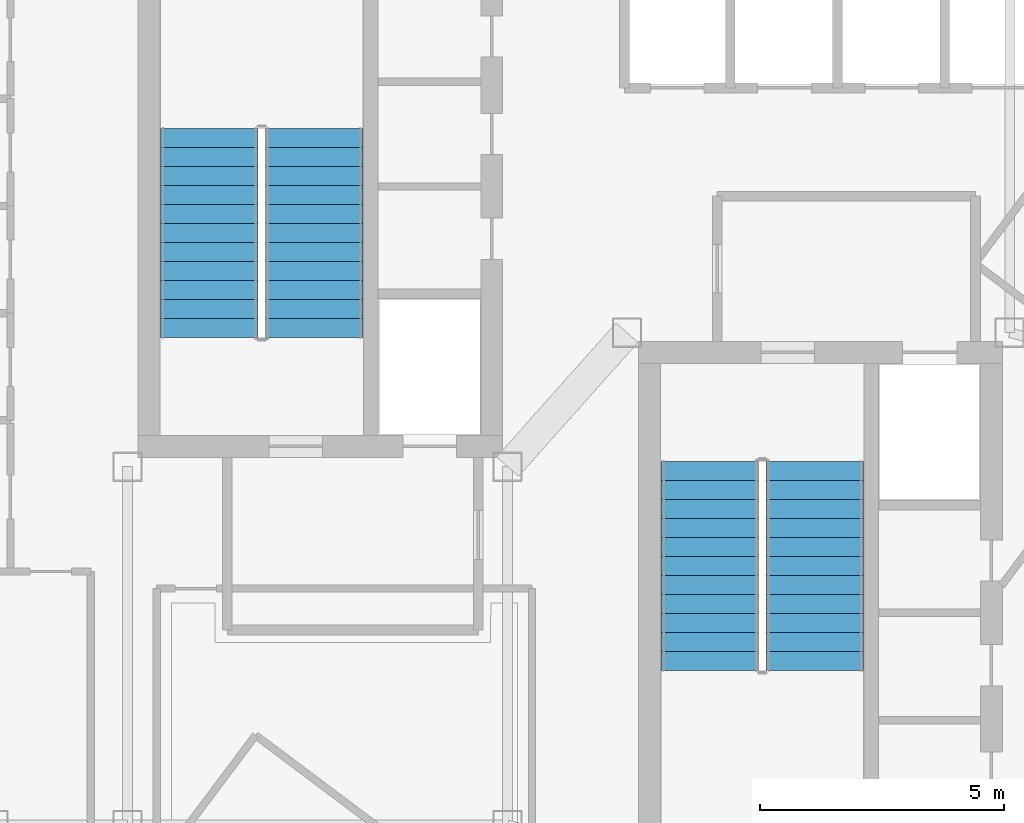
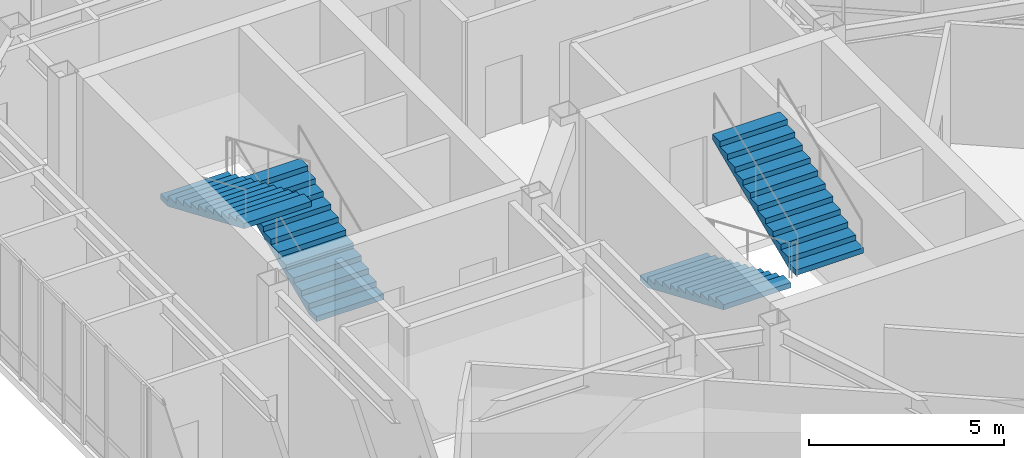
# One storey, part 28 of 30: 4 stair flights, 2 elements without a shape of their own.
"""IFC4 building model written with IfcOpenShell, lengths in metres."""

from ifc_helpers import new_model, si_unit, direction, frame, origin, place, context, subcontext, project, spatial, polyline, outline, extrude, material, type_object, element, aggregate, save


model = new_model("IFC4")

# Units and contexts
model_context = context("Model", 3, precision=1e-05, world=origin(), true_north=direction((0.0, 1.0)))
body_context = subcontext(model_context, "Body", "Model", "MODEL_VIEW")
ifc_project = project(units=[si_unit("LENGTHUNIT", "METRE"), si_unit("AREAUNIT", "SQUARE_METRE"), si_unit("VOLUMEUNIT", "CUBIC_METRE"), si_unit("PLANEANGLEUNIT", "RADIAN"), si_unit("MASSUNIT", "GRAM", prefix="KILO")], contexts=[model_context])

# Site, building, storey
site_placement = place(None, origin())
site = spatial("IfcSite", under=ifc_project, at=site_placement, CompositionType="ELEMENT")
building_placement = place(site_placement, origin())
building = spatial("IfcBuilding", under=site, at=building_placement, Name="Hatsunagi Terrace Concourse", CompositionType="ELEMENT")
storey_placement = place(building_placement, frame((0.0, 0.0, 273.949951171875)))
storey = spatial("IfcBuildingStorey", under=building, at=storey_placement, Name="L72", CompositionType="ELEMENT", Elevation=273.949951171875)

# Stair, stair flights
ifc_material_1 = material(Name="Concrete Fc42", Category="concrete")
stair_type = type_object("IfcStairType", Name="DoglegExitStair_Tower2000_24R_167", PredefinedType="HALF_TURN_STAIR", material=ifc_material_1)
stair_1_placement = place(storey_placement, origin())
stair_1 = element("IfcStair", 1, at=stair_1_placement, inside=storey, type_object=stair_type, Name="L72 Core A Protected Exit Stair ST-A", PredefinedType="HALF_TURN_STAIR")
ifc_material_2 = material(Name="Concrete Fc42", Category="concrete")
stair_flight_type = type_object("IfcStairFlightType", Name="DoglegStairFlight_Tower2000_24R_167", PredefinedType="STRAIGHT", material=ifc_material_2)
stair_flight_1_placement = place(storey_placement, frame((29.3798828125, 35.199951171875, 0.0), z_axis=(0.0, 0.0, 1.0), x_axis=(0.0, 1.0, 0.0)))
stair_flight_1 = element("IfcStairFlight", 2, at=stair_flight_1_placement, type_object=stair_flight_type, Name="ST-A flight 1", NumberOfRisers=12, NumberOfTreads=11, PredefinedType="STRAIGHT", RiserHeight=0.166666667, TreadLength=0.39, context=body_context, shape_type="SweptSolid", body=[
    extrude(outline(polyline([(0.0, 0.0), (0.0, 0.166748046875), (0.389892578125, 0.166748046875), (0.389892578125, 0.333251953125), (0.780029296875, 0.333251953125), (0.780029296875, 0.5), (1.169921875, 0.5), (1.169921875, 0.666748046875), (1.56005859375, 0.666748046875), (1.56005859375, 0.833251953125), (1.949951171875, 0.833251953125), (1.949951171875, 1.0), (2.340087890625, 1.0), (2.340087890625, 1.166748046875), (2.72998046875, 1.166748046875), (2.72998046875, 1.333251953125), (3.1201171875, 1.333251953125), (3.1201171875, 1.5), (3.510009765625, 1.5), (3.510009765625, 1.666748046875), (3.89990234375, 1.666748046875), (3.89990234375, 1.833251953125), (4.2900390625, 1.833251953125), (4.2900390625, 2.0), (4.2900390625, 1.67041015625), (0.38134765625, 0.0), (0.0, 0.0)])), frame((0.0, 1.0, 0.0), z_axis=(0.0, -1.0, 0.0), x_axis=(1.0, 0.0, 0.0)), (0.0, 0.0, 1.0), 2.0),
])
stair_flight_2_placement = place(storey_placement, frame((27.22998046875, 39.489990234375, 2.0), z_axis=(0.0, 0.0, 1.0), x_axis=(0.0, -1.0, 0.0)))
stair_flight_2 = element("IfcStairFlight", 3, at=stair_flight_2_placement, type_object=stair_flight_type, Name="ST-A flight 2", NumberOfRisers=12, NumberOfTreads=11, PredefinedType="STRAIGHT", RiserHeight=0.166666667, TreadLength=0.39, context=body_context, shape_type="SweptSolid", body=[
    extrude(outline(polyline([(0.0, 0.0), (0.0, 0.166748046875), (0.389892578125, 0.166748046875), (0.389892578125, 0.333251953125), (0.780029296875, 0.333251953125), (0.780029296875, 0.5), (1.169921875, 0.5), (1.169921875, 0.666748046875), (1.56005859375, 0.666748046875), (1.56005859375, 0.833251953125), (1.949951171875, 0.833251953125), (1.949951171875, 1.0), (2.340087890625, 1.0), (2.340087890625, 1.166748046875), (2.72998046875, 1.166748046875), (2.72998046875, 1.333251953125), (3.1201171875, 1.333251953125), (3.1201171875, 1.5), (3.510009765625, 1.5), (3.510009765625, 1.666748046875), (3.89990234375, 1.666748046875), (3.89990234375, 1.833251953125), (4.2900390625, 1.833251953125), (4.2900390625, 2.0), (4.2900390625, 1.67041015625), (0.38134765625, 0.0), (0.0, 0.0)])), frame((0.0, 1.0, 0.0), z_axis=(0.0, -1.0, 0.0), x_axis=(1.0, 0.0, 0.0)), (0.0, 0.0, 1.0), 2.0),
])
aggregate(stair_1, [stair_flight_1, stair_flight_2])

stair_2_placement = place(storey_placement, origin())
stair_2 = element("IfcStair", 4, at=stair_2_placement, inside=storey, type_object=stair_type, Name="L72 Core B Protected Exit Stair ST-B", PredefinedType="HALF_TURN_STAIR")
stair_flight_3_placement = place(storey_placement, frame((37.5, 32.659912109375, 0.0), z_axis=(0.0, 0.0, 1.0), x_axis=(0.0, -1.0, 0.0)))
stair_flight_3 = element("IfcStairFlight", 5, at=stair_flight_3_placement, type_object=stair_flight_type, Name="ST-B flight 1", NumberOfRisers=12, NumberOfTreads=11, PredefinedType="STRAIGHT", RiserHeight=0.166666667, TreadLength=0.39, context=body_context, shape_type="SweptSolid", body=[
    extrude(outline(polyline([(0.0, 0.0), (0.0, 0.166748046875), (0.389892578125, 0.166748046875), (0.389892578125, 0.333251953125), (0.780029296875, 0.333251953125), (0.780029296875, 0.5), (1.169921875, 0.5), (1.169921875, 0.666748046875), (1.56005859375, 0.666748046875), (1.56005859375, 0.833251953125), (1.949951171875, 0.833251953125), (1.949951171875, 1.0), (2.340087890625, 1.0), (2.340087890625, 1.166748046875), (2.72998046875, 1.166748046875), (2.72998046875, 1.333251953125), (3.1201171875, 1.333251953125), (3.1201171875, 1.5), (3.510009765625, 1.5), (3.510009765625, 1.666748046875), (3.89990234375, 1.666748046875), (3.89990234375, 1.833251953125), (4.2900390625, 1.833251953125), (4.2900390625, 2.0), (4.2900390625, 1.67041015625), (0.38134765625, 0.0), (0.0, 0.0)])), frame((0.0, 1.0, 0.0), z_axis=(0.0, -1.0, 0.0), x_axis=(1.0, 0.0, 0.0)), (0.0, 0.0, 1.0), 2.0),
])
stair_flight_4_placement = place(storey_placement, frame((39.64990234375, 28.3701171875, 2.0), z_axis=(0.0, 0.0, 1.0), x_axis=(0.0, 1.0, 0.0)))
stair_flight_4 = element("IfcStairFlight", 6, at=stair_flight_4_placement, type_object=stair_flight_type, Name="ST-B flight 2", NumberOfRisers=12, NumberOfTreads=11, PredefinedType="STRAIGHT", RiserHeight=0.166666667, TreadLength=0.39, context=body_context, shape_type="SweptSolid", body=[
    extrude(outline(polyline([(0.0, 0.0), (0.0, 0.166748046875), (0.389892578125, 0.166748046875), (0.389892578125, 0.333251953125), (0.780029296875, 0.333251953125), (0.780029296875, 0.5), (1.169921875, 0.5), (1.169921875, 0.666748046875), (1.56005859375, 0.666748046875), (1.56005859375, 0.833251953125), (1.949951171875, 0.833251953125), (1.949951171875, 1.0), (2.340087890625, 1.0), (2.340087890625, 1.166748046875), (2.72998046875, 1.166748046875), (2.72998046875, 1.333251953125), (3.1201171875, 1.333251953125), (3.1201171875, 1.5), (3.510009765625, 1.5), (3.510009765625, 1.666748046875), (3.89990234375, 1.666748046875), (3.89990234375, 1.833251953125), (4.2900390625, 1.833251953125), (4.2900390625, 2.0), (4.2900390625, 1.67041015625), (0.38134765625, 0.0), (0.0, 0.0)])), frame((0.0, 1.0, 0.0), z_axis=(0.0, -1.0, 0.0), x_axis=(1.0, 0.0, 0.0)), (0.0, 0.0, 1.0), 2.0),
])
aggregate(stair_2, [stair_flight_3, stair_flight_4])

save(model, "model.ifc")
